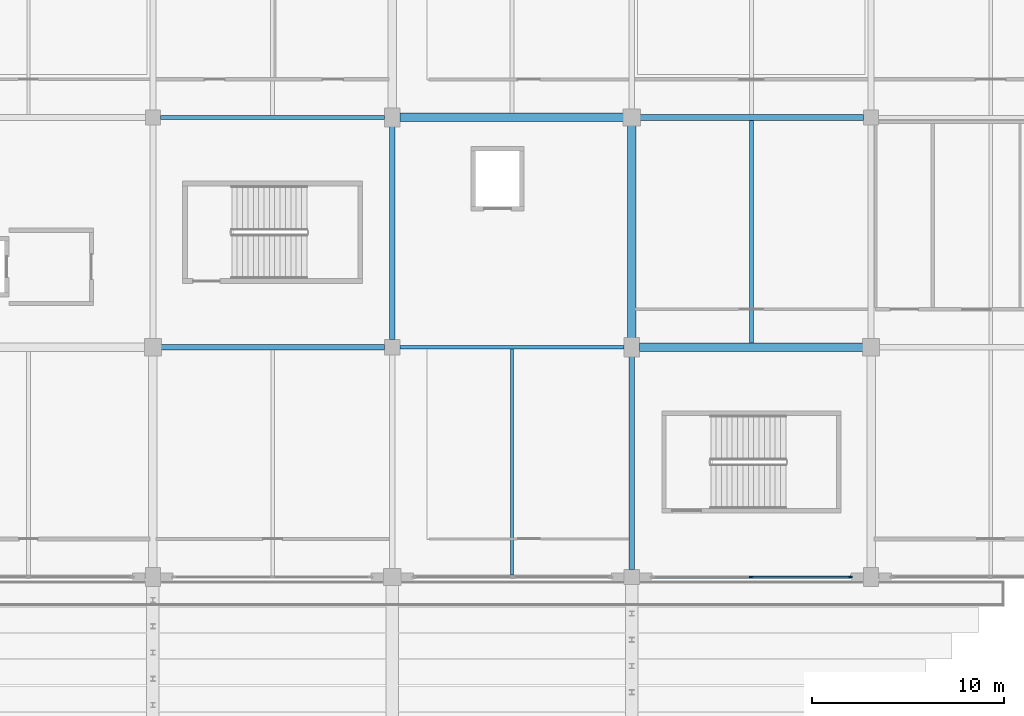
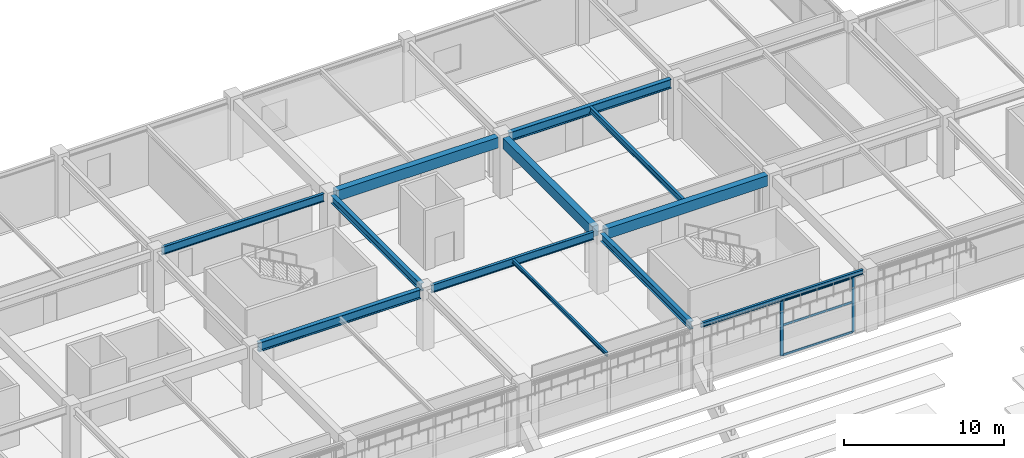
# One storey, part 60 of 134: 12 beams, 5 members, 1 element without a shape of its own.
"""IFC4 building model written with IfcOpenShell, lengths in metres."""

from ifc_helpers import new_model, si_unit, direction, frame, origin, origin_2d, place, context, subcontext, project, spatial, rectangle, i_section, extrude, material, layer, layer_set, material_profile, profile_set, type_object, element, aggregate, save


model = new_model("IFC4")

# Units and contexts
model_context = context("Model", 3, precision=1e-05, world=origin(), true_north=direction((0.0, 1.0)))
body_context = subcontext(model_context, "Body", "Model", "MODEL_VIEW")
ifc_project = project(units=[si_unit("LENGTHUNIT", "METRE"), si_unit("AREAUNIT", "SQUARE_METRE"), si_unit("VOLUMEUNIT", "CUBIC_METRE"), si_unit("PLANEANGLEUNIT", "RADIAN"), si_unit("MASSUNIT", "GRAM", prefix="KILO")], contexts=[model_context])

# Site, building, storey
site_placement = place(None, origin())
site = spatial("IfcSite", under=ifc_project, at=site_placement, CompositionType="ELEMENT")
building_placement = place(site_placement, origin())
building = spatial("IfcBuilding", under=site, at=building_placement, Name="Kazenohara Klinker Stadium", CompositionType="ELEMENT")
storey_placement = place(building_placement, frame((0.0, 0.0, 5.39990234375)))
storey = spatial("IfcBuildingStorey", under=building, at=storey_placement, Name="L01", CompositionType="ELEMENT", Elevation=5.39990234375)

# Beams
ifc_material_1 = material(Name="Steel S355", Category="steel")
ifc_material_profile_1 = material_profile(ifc_material_1, i_section(OverallWidth=0.199951171875, OverallDepth=0.449951171875, WebThickness=0.009033203125, FlangeThickness=0.013916015625, FilletRadius=0.012939453125, at=origin_2d()), Name="H-450x200x9x14")
ifc_profile_set_1 = profile_set([ifc_material_profile_1], Name="Steel S355")
beam_type_1 = type_object("IfcBeamType", Name="BM-JST02", PredefinedType="JOIST", material=ifc_profile_set_1)
beam_1_placement = place(storey_placement, frame((156.25, 144.22509765625, 4.3251953125), z_axis=(0.0, 1.0, 0.0), x_axis=(-1.0, 0.0, 0.0)))
element("IfcBeam", 1, at=beam_1_placement, inside=storey, type_object=beam_type_1, Name="Secondary floor joist SJ02 L01 13/N", PredefinedType="JOIST", context=body_context, shape_type="SweptSolid", body=[
    extrude(i_section(OverallWidth=0.199951171875, OverallDepth=0.449951171875, WebThickness=0.009033203125, FlangeThickness=0.013916015625, FilletRadius=0.012939453125, at=origin_2d()), origin(), (0.0, 0.0, 1.0), 11.625),
])
ifc_material_profile_2 = material_profile(ifc_material_1, i_section(OverallWidth=0.14990234375, OverallDepth=0.300048828125, WebThickness=0.006591796875, FlangeThickness=0.009033203125, FilletRadius=0.012939453125, at=origin_2d()), Name="H-300x150x6.5x9")
ifc_profile_set_2 = profile_set([ifc_material_profile_2], Name="Steel S355")
beam_type_2 = type_object("IfcBeamType", Name="BM-JST05", PredefinedType="JOIST", material=ifc_profile_set_2)
beam_2_placement = place(storey_placement, frame((143.75, 132.10009765625, 4.400146484375), z_axis=(0.0, 1.0, 0.0), x_axis=(-1.0, 0.0, 0.0)))
element("IfcBeam", 2, at=beam_2_placement, inside=storey, type_object=beam_type_2, Name="Secondary floor joist SJ05 L01 12/M", PredefinedType="JOIST", context=body_context, shape_type="SweptSolid", body=[
    extrude(i_section(OverallWidth=0.14990234375, OverallDepth=0.300048828125, WebThickness=0.006591796875, FlangeThickness=0.009033203125, FilletRadius=0.012939453125, at=origin_2d()), origin(), (0.0, 0.0, 1.0), 11.7998046875),
])
ifc_material_2 = material(Name="Concrete C40/50", Category="concrete")
ifc_material_profile_3 = material_profile(ifc_material_2, rectangle(XDim=0.449951171875, YDim=0.800048828125, at=origin_2d()), Name="RC-BM-450x800")
ifc_profile_set_3 = profile_set([ifc_material_profile_3], Name="Concrete C40/50")
beam_type_3 = type_object("IfcBeamType", Name="BM-RC03", PredefinedType="BEAM", material=ifc_profile_set_3)
for number, where, z_axis, x_axis, name in (
    (3, (137.89990234375, 156.0, 4.150146484375), (1.0, 0.0, 0.0), (0.0, 1.0, 0.0), "Primary girder BG03 L01 12-13/P"),
    (4, (150.39990234375, 144.0, 4.150146484375), (1.0, 0.0, 0.0), (0.0, 1.0, 0.0), "Primary girder BG03 L01 13-14/N"),
):
    element("IfcBeam", number, at=place(storey_placement, frame(where, z_axis=z_axis, x_axis=x_axis)), inside=storey, type_object=beam_type_3, Name=name, PredefinedType="BEAM", context=body_context, shape_type="SweptSolid", body=[
        extrude(rectangle(XDim=0.449951171875, YDim=0.800048828125, at=origin_2d()), origin(), (0.0, 0.0, 1.0), 11.68017578125),
    ])
beam_3_placement = place(storey_placement, frame((150.0, 144.419921875, 4.150146484375), z_axis=(0.0, 1.0, 0.0), x_axis=(-1.0, 0.0, 0.0)))
element("IfcBeam", 5, at=beam_3_placement, inside=storey, type_object=beam_type_3, Name="Primary girder BG03 L01 13/N-P", PredefinedType="BEAM", context=body_context, shape_type="SweptSolid", body=[
    extrude(rectangle(XDim=0.449951171875, YDim=0.800048828125, at=origin_2d()), origin(), (0.0, 0.0, 1.0), 11.16015625),
])
ifc_material_profile_4 = material_profile(ifc_material_1, i_section(OverallWidth=0.175048828125, OverallDepth=0.35009765625, WebThickness=0.007080078125, FlangeThickness=0.010986328125, FilletRadius=0.012939453125, at=origin_2d()), Name="H-350x175x7x11")
ifc_profile_set_4 = profile_set([ifc_material_profile_4], Name="Steel S355")
beam_type_4 = type_object("IfcBeamType", Name="BM-SPD02", PredefinedType="SPANDREL", material=ifc_profile_set_4)
beam_4_placement = place(storey_placement, frame((150.39990234375, 132.0, 4.375), z_axis=(1.0, 0.0, 0.0), x_axis=(0.0, 1.0, 0.0)))
element("IfcBeam", 6, at=beam_4_placement, inside=storey, type_object=beam_type_4, Name="Primary girder SP02 L01 13-14/M", PredefinedType="SPANDREL", context=body_context, shape_type="SweptSolid", body=[
    extrude(i_section(OverallWidth=0.175048828125, OverallDepth=0.35009765625, WebThickness=0.007080078125, FlangeThickness=0.010986328125, FilletRadius=0.012939453125, at=origin_2d()), origin(), (0.0, 0.0, 1.0), 11.7001953125),
])
ifc_material_profile_5 = material_profile(ifc_material_1, i_section(OverallWidth=0.300048828125, OverallDepth=0.699951171875, WebThickness=0.012939453125, FlangeThickness=0.02392578125, FilletRadius=0.02197265625, at=origin_2d()), Name="H-700x300x13x24")
ifc_profile_set_5 = profile_set([ifc_material_profile_5], Name="Steel S355")
beam_type_5 = type_object("IfcBeamType", Name="BM-ST03", PredefinedType="BEAM", material=ifc_profile_set_5)
for number, where, z_axis, x_axis, name in (
    (7, (125.419921875, 144.0, 4.2001953125), (1.0, 0.0, 0.0), (0.0, 1.0, 0.0), "Primary girder SB03 L01 11-12/N"),
    (8, (150.419921875, 156.0, 4.2001953125), (1.0, 0.0, 0.0), (0.0, 1.0, 0.0), "Primary girder SB03 L01 13-14/P"),
):
    element("IfcBeam", number, at=place(storey_placement, frame(where, z_axis=z_axis, x_axis=x_axis)), inside=storey, type_object=beam_type_5, Name=name, PredefinedType="BEAM", context=body_context, shape_type="SweptSolid", body=[
        extrude(i_section(OverallWidth=0.300048828125, OverallDepth=0.699951171875, WebThickness=0.012939453125, FlangeThickness=0.02392578125, FilletRadius=0.02197265625, at=origin_2d()), origin(), (0.0, 0.0, 1.0), 11.68017578125),
    ])
ifc_material_profile_6 = material_profile(ifc_material_1, i_section(OverallWidth=0.199951171875, OverallDepth=0.60009765625, WebThickness=0.010986328125, FlangeThickness=0.01708984375, FilletRadius=0.012939453125, at=origin_2d()), Name="H-600x200x11x17")
ifc_profile_set_6 = profile_set([ifc_material_profile_6], Name="Steel S355")
beam_type_6 = type_object("IfcBeamType", Name="BM-ST04", PredefinedType="BEAM", material=ifc_profile_set_6)
for number, where, z_axis, x_axis, name in (
    (9, (125.39990234375, 156.0, 4.25), (1.0, 0.0, 0.0), (0.0, 1.0, 0.0), "Primary girder SB04 L01 11-12/P"),
    (10, (137.89990234375, 144.0, 4.25), (1.0, 0.0, 0.0), (0.0, 1.0, 0.0), "Primary girder SB04 L01 12-13/N"),
):
    element("IfcBeam", number, at=place(storey_placement, frame(where, z_axis=z_axis, x_axis=x_axis)), inside=storey, type_object=beam_type_6, Name=name, PredefinedType="BEAM", context=body_context, shape_type="SweptSolid", body=[
        extrude(i_section(OverallWidth=0.199951171875, OverallDepth=0.60009765625, WebThickness=0.010986328125, FlangeThickness=0.01708984375, FilletRadius=0.012939453125, at=origin_2d()), origin(), (0.0, 0.0, 1.0), 11.7001953125),
    ])
ifc_material_profile_7 = material_profile(ifc_material_1, i_section(OverallWidth=0.300048828125, OverallDepth=0.587890625, WebThickness=0.011962890625, FlangeThickness=0.02001953125, FilletRadius=0.02197265625, at=origin_2d()), Name="H-588x300x12x20")
ifc_profile_set_7 = profile_set([ifc_material_profile_7], Name="Steel S355")
beam_type_7 = type_object("IfcBeamType", Name="BM-ST05", PredefinedType="BEAM", material=ifc_profile_set_7)
for number, where, z_axis, x_axis, name in (
    (11, (137.5, 144.39990234375, 4.256103515625), (0.0, 1.0, 0.0), (-1.0, 0.0, 0.0), "Primary girder SB05 L01 12/N-P"),
    (12, (150.0, 132.39990234375, 4.256103515625), (0.0, 1.0, 0.0), (-1.0, 0.0, 0.0), "Primary girder SB05 L01 13/M-N"),
):
    element("IfcBeam", number, at=place(storey_placement, frame(where, z_axis=z_axis, x_axis=x_axis)), inside=storey, type_object=beam_type_7, Name=name, PredefinedType="BEAM", context=body_context, shape_type="SweptSolid", body=[
        extrude(i_section(OverallWidth=0.300048828125, OverallDepth=0.587890625, WebThickness=0.011962890625, FlangeThickness=0.02001953125, FilletRadius=0.02197265625, at=origin_2d()), origin(), (0.0, 0.0, 1.0), 11.18017578125),
    ])

# Curtain wall, members
ifc_material_3 = material(Name="Anodised aluminium and triple glazing", Category="aluminium")
ifc_layer = layer(ifc_material_3, 0.18994140625)
ifc_layer_set = layer_set([ifc_layer], Name="Anodised aluminium and triple glazing")
curtain_wall_type = type_object("IfcCurtainWallType", Name="CW-SYS-05", PredefinedType="USERDEFINED", material=ifc_layer_set)
curtain_wall_placement = place(storey_placement, origin())
curtain_wall = element("IfcCurtainWall", 13, at=curtain_wall_placement, inside=storey, type_object=curtain_wall_type, Name="Unitised facade curtain wall CW05 L01 X12-11", ObjectType="UNITISED CURTAIN WALL", PredefinedType="USERDEFINED")
ifc_material_4 = material(Name="Anodised aluminium 6063-T6", Category="aluminium")
ifc_material_profile_8 = material_profile(ifc_material_4, rectangle(XDim=0.074951171875, YDim=0.219970703125, at=origin_2d()), Name="ALU-MUL-75x220")
ifc_profile_set_8 = profile_set([ifc_material_profile_8], Name="Anodised aluminium 6063-T6")
member_type_1 = type_object("IfcMemberType", Name="CW-MUL-220", PredefinedType="MULLION", material=ifc_profile_set_8)
member_1_placement = place(storey_placement, frame((156.25, 132.0, 0.0), z_axis=(0.0, 0.0, 1.0), x_axis=(0.0, 1.0, 0.0)))
member_1 = element("IfcMember", 14, at=member_1_placement, type_object=member_type_1, Name="CW05 mullion 2", PredefinedType="MULLION", context=body_context, shape_type="SweptSolid", body=[
    extrude(rectangle(XDim=0.074951171875, YDim=0.219970703125, at=origin_2d()), origin(), (0.0, 0.0, 1.0), 4.2001953125),
])
member_2_placement = place(storey_placement, frame((161.408447265625, 132.0, 0.0), z_axis=(0.0, 0.0, 1.0), x_axis=(0.0, 1.0, 0.0)))
member_2 = element("IfcMember", 15, at=member_2_placement, type_object=member_type_1, Name="CW05 mullion 3", PredefinedType="MULLION", context=body_context, shape_type="SweptSolid", body=[
    extrude(rectangle(XDim=0.074951171875, YDim=0.219970703125, at=origin_2d()), origin(), (0.0, 0.0, 1.0), 4.2001953125),
])
ifc_material_profile_9 = material_profile(ifc_material_4, rectangle(XDim=0.074951171875, YDim=0.159912109375, at=origin_2d()), Name="ALU-TRN-75x160")
ifc_profile_set_9 = profile_set([ifc_material_profile_9], Name="Anodised aluminium 6063-T6")
member_type_2 = type_object("IfcMemberType", Name="CW-TRN-160", PredefinedType="USERDEFINED", material=ifc_profile_set_9)
member_3_placement = place(storey_placement, frame((156.28759765625, 132.0, 0.03759765625), z_axis=(1.0, 0.0, 0.0), x_axis=(0.0, 1.0, 0.0)))
member_3 = element("IfcMember", 16, at=member_3_placement, type_object=member_type_2, Name="CW05 transom 2.1", ObjectType="TRANSOM", PredefinedType="USERDEFINED", context=body_context, shape_type="SweptSolid", body=[
    extrude(rectangle(XDim=0.074951171875, YDim=0.159912109375, at=origin_2d()), origin(), (0.0, 0.0, 1.0), 5.08349609375),
])
member_4_placement = place(storey_placement, frame((156.28759765625, 132.0, 2.31005859375), z_axis=(1.0, 0.0, 0.0), x_axis=(0.0, 1.0, 0.0)))
member_4 = element("IfcMember", 17, at=member_4_placement, type_object=member_type_2, Name="CW05 transom 2.2", ObjectType="TRANSOM", PredefinedType="USERDEFINED", context=body_context, shape_type="SweptSolid", body=[
    extrude(rectangle(XDim=0.074951171875, YDim=0.159912109375, at=origin_2d()), origin(), (0.0, 0.0, 1.0), 5.08349609375),
])
member_5_placement = place(storey_placement, frame((156.28759765625, 132.0, 4.16259765625), z_axis=(1.0, 0.0, 0.0), x_axis=(0.0, 1.0, 0.0)))
member_5 = element("IfcMember", 18, at=member_5_placement, type_object=member_type_2, Name="CW05 transom 2.3", ObjectType="TRANSOM", PredefinedType="USERDEFINED", context=body_context, shape_type="SweptSolid", body=[
    extrude(rectangle(XDim=0.074951171875, YDim=0.159912109375, at=origin_2d()), origin(), (0.0, 0.0, 1.0), 5.08349609375),
])
aggregate(curtain_wall, [member_1, member_2, member_3, member_4, member_5])

save(model, "model.ifc")
